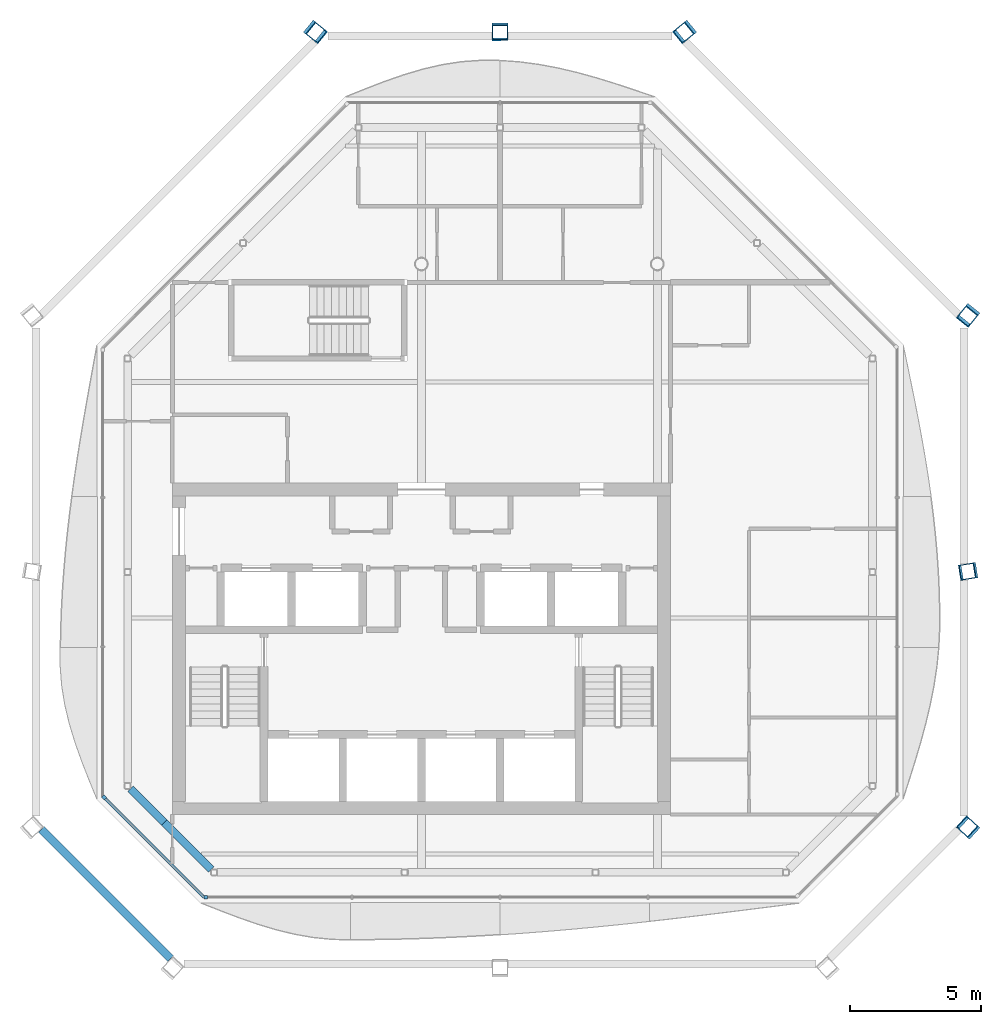
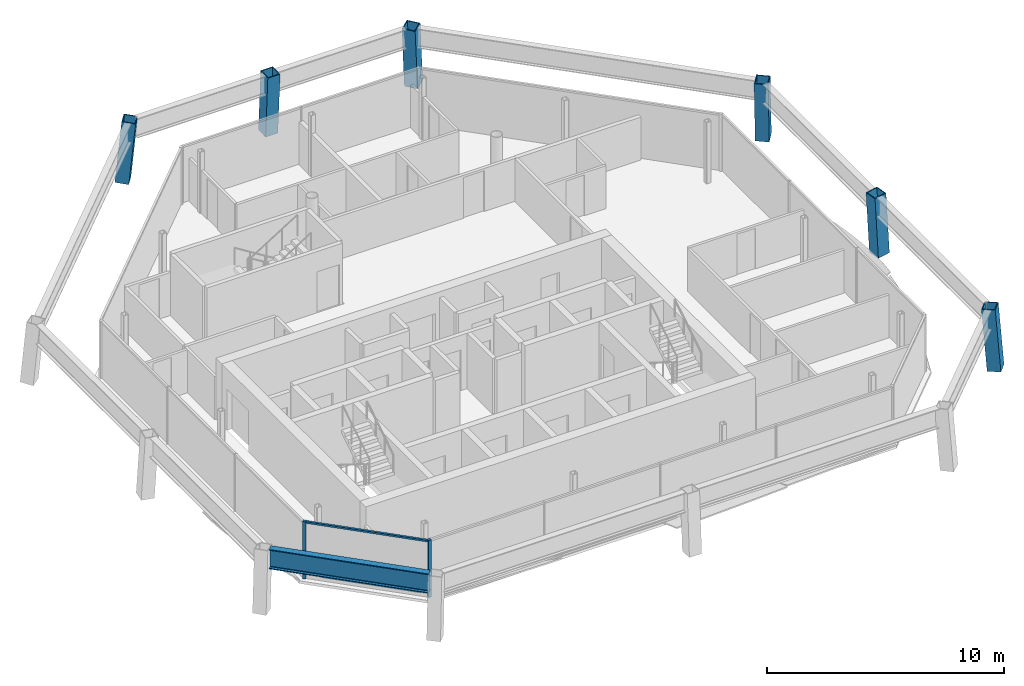
# One storey, part 2 of 14: 6 columns, 3 beams, 3 members, 2 elements without a shape of their own.
"""IFC4 building model written with IfcOpenShell, lengths in metres."""

from ifc_helpers import new_model, si_unit, direction, frame, origin, origin_2d, place, context, subcontext, project, spatial, rectangle, hollow_rectangle, i_section, extrude, material, material_profile, profile_set, type_object, element, aggregate, save


model = new_model("IFC4")

# Units and contexts
model_context = context("Model", 3, precision=1e-05, world=origin(), true_north=direction((0.0, 1.0)))
body_context = subcontext(model_context, "Body", "Model", "MODEL_VIEW")
ifc_project = project(units=[si_unit("LENGTHUNIT", "METRE"), si_unit("AREAUNIT", "SQUARE_METRE"), si_unit("VOLUMEUNIT", "CUBIC_METRE"), si_unit("PLANEANGLEUNIT", "RADIAN"), si_unit("MASSUNIT", "GRAM", prefix="KILO")], contexts=[model_context])

# Site, building, storey
site_placement = place(None, origin())
site = spatial("IfcSite", under=ifc_project, at=site_placement, CompositionType="ELEMENT")
building_placement = place(site_placement, origin())
building = spatial("IfcBuilding", under=site, at=building_placement, Name="Tskaro Facet Tower", CompositionType="ELEMENT")
storey_placement = place(building_placement, frame((0.0, 0.0, 294.14990234375)))
storey = spatial("IfcBuildingStorey", under=building, at=storey_placement, Name="L79", CompositionType="ELEMENT", Elevation=294.14990234375)

# Columns
ifc_material_1 = material(Name="Steel S355J2", Category="steel")
ifc_material_profile_1 = material_profile(ifc_material_1, hollow_rectangle(XDim=0.60009765625, YDim=0.60009765625, WallThickness=0.0400390625, at=origin_2d()), Name="BOX 600x600x40")
ifc_profile_set_1 = profile_set([ifc_material_profile_1], Name="Steel S355J2")
column_type = type_object("IfcColumnType", Name="BOX 600x600x40 mega column", PredefinedType="COLUMN", material=ifc_profile_set_1)
column_1_placement = place(storey_placement, frame((20.885009765625, -12.52099609375, 0.0), z_axis=(-0.057946982858, 0.052847648367, 0.996919893091), x_axis=(-0.673848784787, -0.738869281565, 0.0)))
element("IfcColumn", 1, at=column_1_placement, inside=storey, type_object=column_type, Name="BOX 600x600x40 MC04/6", PredefinedType="COLUMN", context=body_context, shape_type="SweptSolid", body=[
    extrude(hollow_rectangle(XDim=0.60009765625, YDim=0.60009765625, WallThickness=0.0400390625, at=origin_2d()), origin(), (0.0, 0.0, 1.0), 3.159912109375),
])
column_2_placement = place(storey_placement, frame((20.885009765625, -2.719970703125, 0.0), z_axis=(-0.058025444561, -0.009516172908, 0.998269748233), x_axis=(0.161838042552, -0.986817332632, 0.0)))
element("IfcColumn", 2, at=column_2_placement, inside=storey, type_object=column_type, Name="BOX 600x600x40 MC05/6", PredefinedType="COLUMN", context=body_context, shape_type="SweptSolid", body=[
    extrude(hollow_rectangle(XDim=0.60009765625, YDim=0.60009765625, WallThickness=0.0400390625, at=origin_2d()), origin(), (0.0, 0.0, 1.0), 3.155517578125),
])
for number, where, z_axis, x_axis, name in (
    (3, (20.885009765625, 7.0810546875, 0.0), (-0.057878432863, -0.07176925675, 0.995740558978), (0.778413039475, -0.62775245119, 0.0), "BOX 600x600x40 MC06/6"),
    (4, (10.080078125, 17.885009765625, 0.0), (-0.071462151567, -0.057879712392, 0.995762571995), (0.629391337545, -0.777088504756, 0.0), "BOX 600x600x40 MC07/6"),
):
    element("IfcColumn", number, at=place(storey_placement, frame(where, z_axis=z_axis, x_axis=x_axis)), inside=storey, type_object=column_type, Name=name, PredefinedType="COLUMN", context=body_context, shape_type="SweptSolid", body=[
        extrude(hollow_rectangle(XDim=0.60009765625, YDim=0.60009765625, WallThickness=0.0400390625, at=origin_2d()), origin(), (0.0, 0.0, 1.0), 3.16357421875),
    ])
column_3_placement = place(storey_placement, frame((2.9990234375, 17.885009765625, 0.0), z_axis=(0.000309483036, -0.058028069282, 0.998314903923), x_axis=(0.999985778081, 0.005333257483, 0.0)))
element("IfcColumn", 5, at=column_3_placement, inside=storey, type_object=column_type, Name="BOX 600x600x40 MC08/6", PredefinedType="COLUMN", context=body_context, shape_type="SweptSolid", body=[
    extrude(hollow_rectangle(XDim=0.60009765625, YDim=0.60009765625, WallThickness=0.0400390625, at=origin_2d()), origin(), (0.0, 0.0, 1.0), 3.155517578125),
])
column_4_placement = place(storey_placement, frame((-4.0810546875, 17.885009765625, 0.0), z_axis=(0.07176925675, -0.057878432863, 0.995740558978), x_axis=(0.62775245119, 0.778413039475, 0.0)))
element("IfcColumn", 6, at=column_4_placement, inside=storey, type_object=column_type, Name="BOX 600x600x40 MC09/6", PredefinedType="COLUMN", context=body_context, shape_type="SweptSolid", body=[
    extrude(hollow_rectangle(XDim=0.60009765625, YDim=0.60009765625, WallThickness=0.0400390625, at=origin_2d()), origin(), (0.0, 0.0, 1.0), 3.16357421875),
])

# Curtain wall, member
ifc_material_2 = material(Name="Bronze anodised aluminium 6063-T6", Category="aluminium")
curtain_wall_type = type_object("IfcCurtainWallType", Name="Bronze residence curtain wall (FW3)", PredefinedType="NOTDEFINED", material=ifc_material_2)
curtain_wall_1_placement = place(storey_placement, origin())
curtain_wall_1 = element("IfcCurtainWall", 7, at=curtain_wall_1_placement, inside=storey, type_object=curtain_wall_type, Name="FW3 south facet L79", PredefinedType="NOTDEFINED")
ifc_material_profile_2 = material_profile(ifc_material_2, rectangle(XDim=0.139892578125, YDim=0.139892578125, at=origin_2d()), Name="Corner post 140x140")
ifc_profile_set_2 = profile_set([ifc_material_profile_2], Name="Bronze anodised aluminium 6063-T6")
member_type_1 = type_object("IfcMemberType", Name="FW3 bronze corner post 140x140", PredefinedType="MULLION", material=ifc_profile_set_2)
member_1_placement = place(storey_placement, frame((-8.22607421875, -15.14990234375, 0.0), z_axis=(0.0, 0.0, 1.0), x_axis=(1.0, 0.0, 0.0)))
member_1 = element("IfcMember", 8, at=member_1_placement, type_object=member_type_1, Name="FW3 south corner post", PredefinedType="MULLION", context=body_context, shape_type="SweptSolid", body=[
    extrude(rectangle(XDim=0.139892578125, YDim=0.139892578125, at=origin_2d()), origin(), (0.0, 0.0, 1.0), 2.9501953125),
])
aggregate(curtain_wall_1, [member_1])

# Curtain wall, members
curtain_wall_2_placement = place(storey_placement, origin())
curtain_wall_2 = element("IfcCurtainWall", 9, at=curtain_wall_2_placement, inside=storey, type_object=curtain_wall_type, Name="FW3 south-west facet L79", PredefinedType="NOTDEFINED")
member_2_placement = place(storey_placement, frame((-12.1005859375, -11.345458984375, 0.0), z_axis=(0.0, 0.0, 1.0), x_axis=(0.707106781187, -0.707106781187, 0.0)))
member_2 = element("IfcMember", 10, at=member_2_placement, type_object=member_type_1, Name="FW3 south-west corner post", PredefinedType="MULLION", context=body_context, shape_type="SweptSolid", body=[
    extrude(rectangle(XDim=0.139892578125, YDim=0.139892578125, at=origin_2d()), origin(), (0.0, 0.0, 1.0), 2.9501953125),
])
ifc_material_profile_3 = material_profile(ifc_material_2, rectangle(XDim=0.10009765625, YDim=0.090087890625, at=origin_2d()), Name="Transom 100x90")
ifc_profile_set_3 = profile_set([ifc_material_profile_3], Name="Bronze anodised aluminium 6063-T6")
member_type_2 = type_object("IfcMemberType", Name="FW3 bronze transom 100x90", PredefinedType="USERDEFINED", material=ifc_profile_set_3)
member_3_placement = place(storey_placement, frame((-12.051025390625, -11.39501953125, 2.905029296875), z_axis=(0.707129767932, -0.707083793693, 0.0), x_axis=(0.707083793693, 0.707129767932, 0.0)))
member_3 = element("IfcMember", 11, at=member_3_placement, type_object=member_type_2, Name="FW3 south-west transom 1.1", ObjectType="TRANSOM", PredefinedType="USERDEFINED", context=body_context, shape_type="SweptSolid", body=[
    extrude(rectangle(XDim=0.10009765625, YDim=0.090087890625, at=origin_2d()), origin(), (0.0, 0.0, 1.0), 5.310302734375),
])
aggregate(curtain_wall_2, [member_2, member_3])

# Beams
ifc_material_profile_4 = material_profile(ifc_material_1, i_section(OverallWidth=0.302001953125, OverallDepth=1.008056640625, WebThickness=0.02099609375, FlangeThickness=0.0400390625, FilletRadius=0.030029296875, at=origin_2d()), Name="HE 1000 M")
ifc_profile_set_4 = profile_set([ifc_material_profile_4], Name="Steel S355J2")
beam_type_1 = type_object("IfcBeamType", Name="HE 1000 M crown ring beam", PredefinedType="BEAM", material=ifc_profile_set_4)
beam_1_placement = place(storey_placement, frame((-14.48974609375, -12.566162109375, 2.64599609375), z_axis=(0.707106781187, -0.707106781187, 0.0), x_axis=(0.707106781187, 0.707106781187, 0.0)))
element("IfcBeam", 12, at=beam_1_placement, inside=storey, type_object=beam_type_1, Name="HE 1000 M CR12-6", PredefinedType="BEAM", context=body_context, shape_type="SweptSolid", body=[
    extrude(i_section(OverallWidth=0.302001953125, OverallDepth=1.008056640625, WebThickness=0.02099609375, FlangeThickness=0.0400390625, FilletRadius=0.030029296875, at=origin_2d()), origin(), (0.0, 0.0, 1.0), 6.962890625),
])
ifc_material_profile_5 = material_profile(ifc_material_1, i_section(OverallWidth=0.300048828125, OverallDepth=0.300048828125, WebThickness=0.010986328125, FlangeThickness=0.01904296875, FilletRadius=0.027099609375, at=origin_2d()), Name="HE 300 B")
ifc_profile_set_5 = profile_set([ifc_material_profile_5], Name="Steel S355J2")
beam_type_2 = type_object("IfcBeamType", Name="HE 300 B ring beam", PredefinedType="BEAM", material=ifc_profile_set_5)
beam_2_placement = place(storey_placement, frame((-11.089111328125, -11.013916015625, -0.289794921875), z_axis=(0.707106781187, -0.707106781187, 0.0), x_axis=(0.707106781187, 0.707106781187, 0.0)))
element("IfcBeam", 13, at=beam_2_placement, inside=storey, type_object=beam_type_2, Name="HE 300 B EB15a-6", PredefinedType="BEAM", context=body_context, shape_type="SweptSolid", body=[
    extrude(i_section(OverallWidth=0.300048828125, OverallDepth=0.300048828125, WebThickness=0.010986328125, FlangeThickness=0.01904296875, FilletRadius=0.027099609375, at=origin_2d()), origin(), (0.0, 0.0, 1.0), 1.821044921875),
])
beam_3_placement = place(storey_placement, frame((-9.801513671875, -12.301513671875, -0.289794921875), z_axis=(0.707106781187, -0.707106781187, 0.0), x_axis=(0.707106781187, 0.707106781187, 0.0)))
element("IfcBeam", 14, at=beam_3_placement, inside=storey, type_object=beam_type_2, Name="HE 300 B EB15b-6", PredefinedType="BEAM", context=body_context, shape_type="SweptSolid", body=[
    extrude(i_section(OverallWidth=0.300048828125, OverallDepth=0.300048828125, WebThickness=0.010986328125, FlangeThickness=0.01904296875, FilletRadius=0.027099609375, at=origin_2d()), origin(), (0.0, 0.0, 1.0), 2.528076171875),
])

save(model, "model.ifc")
